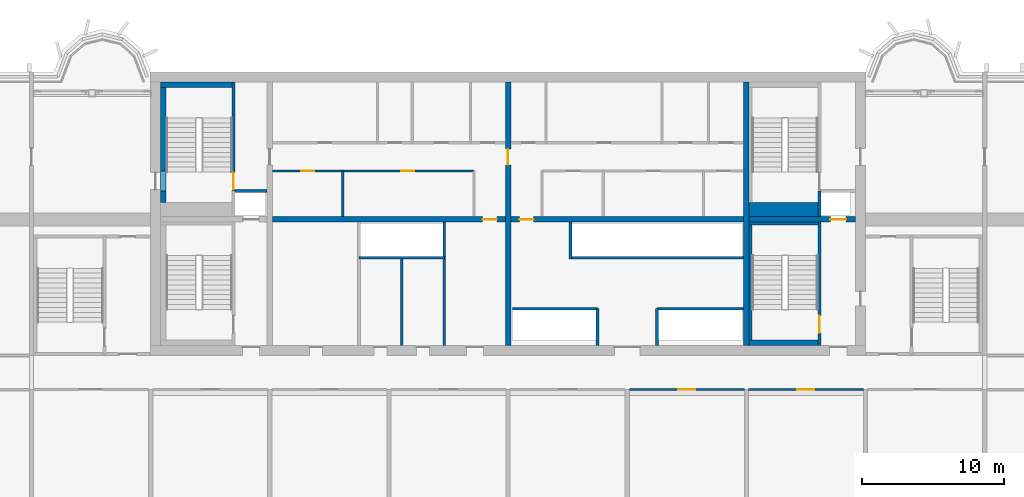
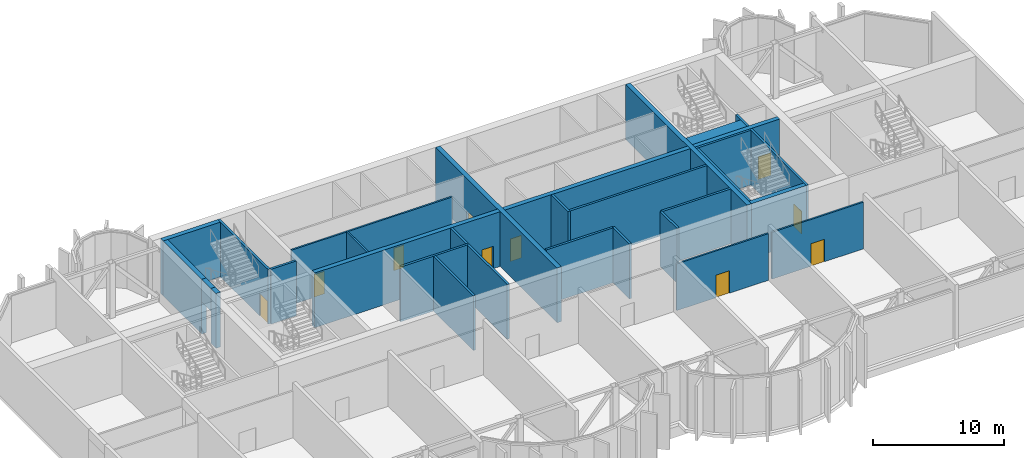
# One storey, part 5 of 15: 30 walls, 10 doors, 10 openings.
"""IFC4 building model written with IfcOpenShell, lengths in metres."""

from ifc_helpers import new_model, si_unit, direction, frame, frame_2d, origin, place, context, subcontext, project, spatial, rectangle, extrude, source, transform, mapped, material, layer, layer_set, type_object, element, fill, save


model = new_model("IFC4")

# Units and contexts
model_context = context("Model", 3, precision=1e-05, world=origin(), true_north=direction((0.0, 1.0)))
body_context = subcontext(model_context, "Body", "Model", "MODEL_VIEW")
ifc_project = project(units=[si_unit("LENGTHUNIT", "METRE"), si_unit("AREAUNIT", "SQUARE_METRE"), si_unit("VOLUMEUNIT", "CUBIC_METRE"), si_unit("PLANEANGLEUNIT", "RADIAN"), si_unit("MASSUNIT", "GRAM", prefix="KILO")], contexts=[model_context])

# Site, building, storey
site_placement = place(None, origin())
site = spatial("IfcSite", under=ifc_project, at=site_placement, CompositionType="ELEMENT")
building_placement = place(site_placement, origin())
building = spatial("IfcBuilding", under=site, at=building_placement, Name="Vanashikhar Sky Hotel", CompositionType="ELEMENT")
storey_placement = place(building_placement, frame((0.0, 0.0, 201.0)))
storey = spatial("IfcBuildingStorey", under=building, at=storey_placement, Name="L49", CompositionType="ELEMENT", Elevation=201.0)

# Wall, opening, door
ifc_material_1 = material(Name="Concrete M60", Category="concrete")
ifc_layer_1 = layer(ifc_material_1, 0.39990234375)
ifc_layer_set_1 = layer_set([ifc_layer_1], Name="RC core inner wall 400 Concrete M60")
wall_type_1 = type_object("IfcWallType", Name="RC core inner wall 400 Concrete M60", PredefinedType="SHEAR", material=ifc_layer_set_1)
shared_shape_1 = source(origin(), body_context, "Body", "SweptSolid", [
    extrude(rectangle(XDim=18.60009765625, YDim=0.39990234375, at=frame_2d((9.300048828125, 0.0))), origin(), (0.0, 0.0, 1.0), 5.1201171875),
])
wall_1_placement = place(storey_placement, frame((50.39990234375, 22.699951171875, 0.0), z_axis=(0.0, 0.0, 1.0), x_axis=(0.0, 1.0, 0.0)))
wall_1 = element("IfcWall", 1, at=wall_1_placement, inside=storey, type_object=wall_type_1, Name="KW-L49-KX2", PredefinedType="SHEAR", context=body_context, shape_type="MappedRepresentation", body=[
    mapped(shared_shape_1, transform((0.0, 0.0, 0.0), scale=1.0)),
])
shared_shape_2 = source(origin(), body_context, "Body", "SweptSolid", [
    extrude(rectangle(XDim=1.10009765625, YDim=2.10009765625, at=frame_2d((0.550048828125, 1.050048828125))), frame((0.0, 0.2099609375, 0.0), z_axis=(0.0, -1.0, 0.0), x_axis=(1.0, 0.0, 0.0)), (0.0, 0.0, 1.0), 0.419921875),
])
opening_1_placement = place(wall_1_placement, frame((12.75, 0.0, 0.0)))
opening_1 = element("IfcOpeningElement", 2, at=opening_1_placement, cuts=wall_1, Name="Opening DC-4-C", PredefinedType="OPENING", context=body_context, shape_type="MappedRepresentation", body=[
    mapped(shared_shape_2, transform((0.0, 0.0, 0.0), scale=1.0)),
])
ifc_material_2 = material(Name="Steel", Category="steel")
door_type_1 = type_object("IfcDoorType", Name="Service door 1100 FD60", OperationType="NOTDEFINED", PredefinedType="DOOR", material=ifc_material_2)
shared_shape_3 = source(origin(), body_context, "Body", "SweptSolid", [
    extrude(rectangle(XDim=1.10009765625, YDim=2.10009765625, at=frame_2d((0.550048828125, 1.050048828125))), frame((0.0, 0.02490234375, 0.0), z_axis=(0.0, -1.0, 0.0), x_axis=(1.0, 0.0, 0.0)), (0.0, 0.0, 1.0), 0.050048828125),
])
door_1_placement = place(opening_1_placement, origin())
door_1 = element("IfcDoor", 3, at=door_1_placement, inside=storey, type_object=door_type_1, Name="Service door 1100 FD60", OperationType="SINGLE_SWING_LEFT", OverallHeight=2.10009765625, OverallWidth=1.10009765625, PredefinedType="DOOR", context=body_context, shape_type="MappedRepresentation", body=[
    mapped(shared_shape_3, transform((0.0, 0.0, 0.0), scale=1.0)),
])
fill(opening_1, door_1)

# Wall
wall_2_placement = place(storey_placement, frame((67.199951171875, 22.699951171875, 0.0), z_axis=(0.0, 0.0, 1.0), x_axis=(0.0, 1.0, 0.0)))
element("IfcWall", 4, at=wall_2_placement, inside=storey, type_object=wall_type_1, Name="KW-L49-KX3", PredefinedType="SHEAR", context=body_context, shape_type="MappedRepresentation", body=[
    mapped(shared_shape_1, transform((0.0, 0.0, 0.0), scale=1.0)),
])

# Wall, opening, door
shared_shape_4 = source(origin(), body_context, "Body", "SweptSolid", [
    extrude(rectangle(XDim=7.5, YDim=0.39990234375, at=frame_2d((3.75, 0.0))), origin(), (0.0, 0.0, 1.0), 5.1201171875),
])
wall_3_placement = place(storey_placement, frame((67.39990234375, 31.60009765625, 0.0), z_axis=(0.0, 0.0, 1.0), x_axis=(1.0, 0.0, 0.0)))
wall_3 = element("IfcWall", 5, at=wall_3_placement, inside=storey, type_object=wall_type_1, Name="KW-L49-KY4", PredefinedType="SHEAR", context=body_context, shape_type="MappedRepresentation", body=[
    mapped(shared_shape_4, transform((0.0, 0.0, 0.0), scale=1.0)),
])
opening_2_placement = place(wall_3_placement, frame((5.72509765625, 0.0, 0.0)))
opening_2 = element("IfcOpeningElement", 6, at=opening_2_placement, cuts=wall_3, Name="Opening LD", PredefinedType="OPENING", context=body_context, shape_type="MappedRepresentation", body=[
    mapped(shared_shape_2, transform((0.0, 0.0, 0.0), scale=1.0)),
])
ifc_material_3 = material(Name="Stainless steel", Category="steel")
door_type_2 = type_object("IfcDoorType", Name="Lift landing door 1100", OperationType="NOTDEFINED", PredefinedType="DOOR", material=ifc_material_3)
door_2_placement = place(opening_2_placement, origin())
door_2 = element("IfcDoor", 7, at=door_2_placement, inside=storey, type_object=door_type_2, Name="Lift landing door 1100", OperationType="SLIDING_TO_LEFT", OverallHeight=2.10009765625, OverallWidth=1.10009765625, PredefinedType="DOOR", context=body_context, shape_type="MappedRepresentation", body=[
    mapped(shared_shape_3, transform((0.0, 0.0, 0.0), scale=1.0)),
])
fill(opening_2, door_2)

shared_shape_5 = source(origin(), body_context, "Body", "SweptSolid", [
    extrude(rectangle(XDim=16.39990234375, YDim=0.39990234375, at=frame_2d((8.199951171875, 0.0))), origin(), (0.0, 0.0, 1.0), 5.1201171875),
])
wall_4_placement = place(storey_placement, frame((33.800048828125, 31.60009765625, 0.0), z_axis=(0.0, 0.0, 1.0), x_axis=(1.0, 0.0, 0.0)))
wall_4 = element("IfcWall", 8, at=wall_4_placement, inside=storey, type_object=wall_type_1, Name="KW-L49-KY2", PredefinedType="SHEAR", context=body_context, shape_type="MappedRepresentation", body=[
    mapped(shared_shape_5, transform((0.0, 0.0, 0.0), scale=1.0)),
])
shared_shape_6 = source(origin(), body_context, "Body", "SweptSolid", [
    extrude(rectangle(XDim=1.0, YDim=2.10009765625, at=frame_2d((0.5, 1.050048828125))), frame((0.0, 0.2099609375, 0.0), z_axis=(0.0, -1.0, 0.0), x_axis=(1.0, 0.0, 0.0)), (0.0, 0.0, 1.0), 0.419921875),
])
opening_3_placement = place(wall_4_placement, frame((14.800048828125, 0.0, 0.0)))
opening_3 = element("IfcOpeningElement", 9, at=opening_3_placement, cuts=wall_4, Name="Opening DC-4", PredefinedType="OPENING", context=body_context, shape_type="MappedRepresentation", body=[
    mapped(shared_shape_6, transform((0.0, 0.0, 0.0), scale=1.0)),
])
door_type_3 = type_object("IfcDoorType", Name="Service door 1000 FD60", OperationType="NOTDEFINED", PredefinedType="DOOR", material=ifc_material_2)
shared_shape_7 = source(origin(), body_context, "Body", "SweptSolid", [
    extrude(rectangle(XDim=1.0, YDim=2.10009765625, at=frame_2d((0.5, 1.050048828125))), frame((0.0, 0.02490234375, 0.0), z_axis=(0.0, -1.0, 0.0), x_axis=(1.0, 0.0, 0.0)), (0.0, 0.0, 1.0), 0.050048828125),
])
door_3_placement = place(opening_3_placement, origin())
door_3 = element("IfcDoor", 10, at=door_3_placement, inside=storey, type_object=door_type_3, Name="Service door 1000 FD60", OperationType="SINGLE_SWING_LEFT", OverallHeight=2.10009765625, OverallWidth=1.0, PredefinedType="DOOR", context=body_context, shape_type="MappedRepresentation", body=[
    mapped(shared_shape_7, transform((0.0, 0.0, 0.0), scale=1.0)),
])
fill(opening_3, door_3)

wall_5_placement = place(storey_placement, frame((50.60009765625, 31.60009765625, 0.0), z_axis=(0.0, 0.0, 1.0), x_axis=(1.0, 0.0, 0.0)))
wall_5 = element("IfcWall", 11, at=wall_5_placement, inside=storey, type_object=wall_type_1, Name="KW-L49-KY3", PredefinedType="SHEAR", context=body_context, shape_type="MappedRepresentation", body=[
    mapped(shared_shape_5, transform((0.0, 0.0, 0.0), scale=1.0)),
])
opening_4_placement = place(wall_5_placement, frame((0.60009765625, 0.0, 0.0)))
opening_4 = element("IfcOpeningElement", 12, at=opening_4_placement, cuts=wall_5, Name="Opening DC-4", PredefinedType="OPENING", context=body_context, shape_type="MappedRepresentation", body=[
    mapped(shared_shape_6, transform((0.0, 0.0, 0.0), scale=1.0)),
])
door_4_placement = place(opening_4_placement, origin())
door_4 = element("IfcDoor", 13, at=door_4_placement, inside=storey, type_object=door_type_3, Name="Service door 1000 FD60", OperationType="SINGLE_SWING_RIGHT", OverallHeight=2.10009765625, OverallWidth=1.0, PredefinedType="DOOR", context=body_context, shape_type="MappedRepresentation", body=[
    mapped(shared_shape_7, transform((0.0, 0.0, 0.0), scale=1.0)),
])
fill(opening_4, door_4)

# Walls
ifc_material_4 = material(Name="Concrete M40", Category="concrete")
ifc_layer_2 = layer(ifc_material_4, 0.199951171875)
ifc_layer_set_2 = layer_set([ifc_layer_2], Name="Shaft wall 200")
wall_type_2 = type_object("IfcWallType", Name="Shaft wall 200", PredefinedType="SOLIDWALL", material=ifc_layer_set_2)
shared_shape_8 = source(origin(), body_context, "Body", "SweptSolid", [
    extrude(rectangle(XDim=6.0, YDim=0.199951171875, at=frame_2d((3.0, 0.0))), origin(), (0.0, 0.0, 1.0), 5.1201171875),
])
for number, where, z_axis, x_axis, name in (
    (14, (39.89990234375, 28.89990234375, 0.0), (0.0, 0.0, 1.0), (1.0, 0.0, 0.0), "Shaft wall 200"),
    (15, (56.699951171875, 25.300048828125, 0.0), (0.0, 0.0, 1.0), (-1.0, 0.0, 0.0), "Shaft wall 200"),
):
    element("IfcWall", number, at=place(storey_placement, frame(where, z_axis=z_axis, x_axis=x_axis)), inside=storey, type_object=wall_type_2, Name=name, PredefinedType="SOLIDWALL", context=body_context, shape_type="MappedRepresentation", body=[
        mapped(shared_shape_8, transform((0.0, 0.0, 0.0), scale=1.0)),
    ])
shared_shape_9 = source(origin(), body_context, "Body", "SweptSolid", [
    extrude(rectangle(XDim=2.60009765625, YDim=0.199951171875, at=frame_2d((1.300048828125, 0.0))), origin(), (0.0, 0.0, 1.0), 5.1201171875),
])
for number, where, z_axis, x_axis, name in (
    (16, (60.89990234375, 22.699951171875, 0.0), (0.0, 0.0, 1.0), (0.0, 1.0, 0.0), "Shaft wall 200"),
    (17, (56.699951171875, 22.699951171875, 0.0), (0.0, 0.0, 1.0), (0.0, 1.0, 0.0), "Shaft wall 200"),
):
    element("IfcWall", number, at=place(storey_placement, frame(where, z_axis=z_axis, x_axis=x_axis)), inside=storey, type_object=wall_type_2, Name=name, PredefinedType="SOLIDWALL", context=body_context, shape_type="MappedRepresentation", body=[
        mapped(shared_shape_9, transform((0.0, 0.0, 0.0), scale=1.0)),
    ])
shared_shape_10 = source(origin(), body_context, "Body", "SweptSolid", [
    extrude(rectangle(XDim=2.599853515625, YDim=0.199951171875, at=frame_2d((1.2998046875, 0.0))), origin(), (0.0, 0.0, 1.0), 5.1201171875),
])
wall_6_placement = place(storey_placement, frame((54.800048828125, 28.800048828125, 0.0), z_axis=(0.0, 0.0, 1.0), x_axis=(0.0, 1.0, 0.0)))
element("IfcWall", 18, at=wall_6_placement, inside=storey, type_object=wall_type_2, Name="Shaft wall 200", PredefinedType="SOLIDWALL", context=body_context, shape_type="MappedRepresentation", body=[
    mapped(shared_shape_10, transform((0.0, 0.0, 0.0), scale=1.0)),
])
ifc_material_5 = material(Name="Gypsum board partition")
ifc_layer_3 = layer(ifc_material_5, 0.14990234375)
ifc_layer_set_3 = layer_set([ifc_layer_3], Name="Service partition 150")
wall_type_3 = type_object("IfcWallType", Name="Service partition 150", PredefinedType="PARTITIONING", material=ifc_layer_set_3)
shared_shape_11 = source(origin(), body_context, "Body", "SweptSolid", [
    extrude(rectangle(XDim=3.199951171875, YDim=0.14990234375, at=frame_2d((1.60009765625, 0.0))), origin(), (0.0, 0.0, 1.0), 5.1201171875),
])
wall_7_placement = place(storey_placement, frame((38.743896484375, 31.800048828125, 0.0), z_axis=(0.0, 0.0, 1.0), x_axis=(0.0, 1.0, 0.0)))
element("IfcWall", 19, at=wall_7_placement, inside=storey, type_object=wall_type_3, Name="Service partition 150", PredefinedType="PARTITIONING", context=body_context, shape_type="MappedRepresentation", body=[
    mapped(shared_shape_11, transform((0.0, 0.0, 0.0), scale=1.0)),
])

# Wall, openings, doors
shared_shape_12 = source(origin(), body_context, "Body", "SweptSolid", [
    extrude(rectangle(XDim=14.199951171875, YDim=0.14990234375, at=frame_2d((7.10009765625, 0.0))), origin(), (0.0, 0.0, 1.0), 5.1201171875),
])
wall_8_placement = place(storey_placement, frame((33.800048828125, 35.0, 0.0), z_axis=(0.0, 0.0, 1.0), x_axis=(1.0, 0.0, 0.0)))
wall_8 = element("IfcWall", 20, at=wall_8_placement, inside=storey, type_object=wall_type_3, Name="Service partition 150", PredefinedType="PARTITIONING", context=body_context, shape_type="MappedRepresentation", body=[
    mapped(shared_shape_12, transform((0.0, 0.0, 0.0), scale=1.0)),
])
shared_shape_13 = source(origin(), body_context, "Body", "SweptSolid", [
    extrude(rectangle(XDim=0.89990234375, YDim=2.10009765625, at=frame_2d((0.449951171875, 1.050048828125))), frame((0.0, 0.0849609375, 0.0), z_axis=(0.0, -1.0, 0.0), x_axis=(1.0, 0.0, 0.0)), (0.0, 0.0, 1.0), 0.169921875),
])
opening_5_placement = place(wall_8_placement, frame((2.02197265625, 0.0, 0.0)))
opening_5 = element("IfcOpeningElement", 21, at=opening_5_placement, cuts=wall_8, Name="Opening DC-4-A", PredefinedType="OPENING", context=body_context, shape_type="MappedRepresentation", body=[
    mapped(shared_shape_13, transform((0.0, 0.0, 0.0), scale=1.0)),
])
opening_6_placement = place(wall_8_placement, frame((9.083984375, 0.0, 0.0)))
opening_6 = element("IfcOpeningElement", 22, at=opening_6_placement, cuts=wall_8, Name="Opening DC-4-A", PredefinedType="OPENING", context=body_context, shape_type="MappedRepresentation", body=[
    mapped(shared_shape_13, transform((0.0, 0.0, 0.0), scale=1.0)),
])
door_type_4 = type_object("IfcDoorType", Name="Service door 900 FD60", OperationType="NOTDEFINED", PredefinedType="DOOR", material=ifc_material_2)
shared_shape_14 = source(origin(), body_context, "Body", "SweptSolid", [
    extrude(rectangle(XDim=0.89990234375, YDim=2.10009765625, at=frame_2d((0.449951171875, 1.050048828125))), frame((0.0, 0.02490234375, 0.0), z_axis=(0.0, -1.0, 0.0), x_axis=(1.0, 0.0, 0.0)), (0.0, 0.0, 1.0), 0.050048828125),
])
door_5_placement = place(opening_5_placement, origin())
door_5 = element("IfcDoor", 23, at=door_5_placement, inside=storey, type_object=door_type_4, Name="Service door 900 FD60", OperationType="SINGLE_SWING_LEFT", OverallHeight=2.10009765625, OverallWidth=0.89990234375, PredefinedType="DOOR", context=body_context, shape_type="MappedRepresentation", body=[
    mapped(shared_shape_14, transform((0.0, 0.0, 0.0), scale=1.0)),
])
fill(opening_5, door_5)
door_6_placement = place(opening_6_placement, origin())
door_6 = element("IfcDoor", 24, at=door_6_placement, inside=storey, type_object=door_type_4, Name="Service door 900 FD60", OperationType="SINGLE_SWING_RIGHT", OverallHeight=2.10009765625, OverallWidth=0.89990234375, PredefinedType="DOOR", context=body_context, shape_type="MappedRepresentation", body=[
    mapped(shared_shape_14, transform((0.0, 0.0, 0.0), scale=1.0)),
])
fill(opening_6, door_6)

# Walls
shared_shape_15 = source(origin(), body_context, "Body", "SweptSolid", [
    extrude(rectangle(XDim=6.10009765625, YDim=0.199951171875, at=frame_2d((3.050048828125, 0.0))), origin(), (0.0, 0.0, 1.0), 5.1201171875),
])
wall_9_placement = place(storey_placement, frame((67.0, 25.300048828125, 0.0), z_axis=(0.0, 0.0, 1.0), x_axis=(-1.0, 0.0, 0.0)))
element("IfcWall", 25, at=wall_9_placement, inside=storey, type_object=wall_type_2, Name="Shaft wall 200", PredefinedType="SOLIDWALL", context=body_context, shape_type="MappedRepresentation", body=[
    mapped(shared_shape_15, transform((0.0, 0.0, 0.0), scale=1.0)),
])
shared_shape_16 = source(origin(), body_context, "Body", "SweptSolid", [
    extrude(rectangle(XDim=12.10009765625, YDim=0.199951171875, at=frame_2d((6.050048828125, 0.0))), origin(), (0.0, 0.0, 1.0), 5.1201171875),
])
wall_10_placement = place(storey_placement, frame((67.0, 28.89990234375, 0.0), z_axis=(0.0, 0.0, 1.0), x_axis=(-1.0, 0.0, 0.0)))
element("IfcWall", 26, at=wall_10_placement, inside=storey, type_object=wall_type_2, Name="Shaft wall 200", PredefinedType="SOLIDWALL", context=body_context, shape_type="MappedRepresentation", body=[
    mapped(shared_shape_16, transform((0.0, 0.0, 0.0), scale=1.0)),
])

# Wall, opening, door
ifc_material_6 = material(Name="Concrete M50", Category="concrete")
ifc_layer_4 = layer(ifc_material_6, 0.199951171875)
ifc_layer_set_4 = layer_set([ifc_layer_4], Name="Stair wall 200")
wall_type_4 = type_object("IfcWallType", Name="Stair wall 200", PredefinedType="SOLIDWALL", material=ifc_layer_set_4)
shared_shape_17 = source(origin(), body_context, "Body", "SweptSolid", [
    extrude(rectangle(XDim=8.699951171875, YDim=0.199951171875, at=frame_2d((4.35009765625, 0.0))), origin(), (0.0, 0.0, 1.0), 5.1201171875),
])
wall_11_placement = place(storey_placement, frame((72.35009765625, 22.699951171875, 0.0), z_axis=(0.0, 0.0, 1.0), x_axis=(0.0, 1.0, 0.0)))
wall_11 = element("IfcWall", 27, at=wall_11_placement, inside=storey, type_object=wall_type_4, Name="Stair wall 200", PredefinedType="SOLIDWALL", context=body_context, shape_type="MappedRepresentation", body=[
    mapped(shared_shape_17, transform((0.0, 0.0, 0.0), scale=1.0)),
])
shared_shape_18 = source(origin(), body_context, "Body", "SweptSolid", [
    extrude(rectangle(XDim=1.199951171875, YDim=2.10009765625, at=frame_2d((0.60009765625, 1.050048828125))), frame((0.0, 0.10986328125, 0.0), z_axis=(0.0, -1.0, 0.0), x_axis=(1.0, 0.0, 0.0)), (0.0, 0.0, 1.0), 0.219970703125),
])
opening_7_placement = place(wall_11_placement, frame((0.89990234375, 0.0, 0.0)))
opening_7 = element("IfcOpeningElement", 28, at=opening_7_placement, cuts=wall_11, Name="Opening DC-1", PredefinedType="OPENING", context=body_context, shape_type="MappedRepresentation", body=[
    mapped(shared_shape_18, transform((0.0, 0.0, 0.0), scale=1.0)),
])
door_type_5 = type_object("IfcDoorType", Name="Stair door 1200 FD120", OperationType="NOTDEFINED", PredefinedType="DOOR", material=ifc_material_2)
shared_shape_19 = source(origin(), body_context, "Body", "SweptSolid", [
    extrude(rectangle(XDim=1.199951171875, YDim=2.10009765625, at=frame_2d((0.60009765625, 1.050048828125))), frame((0.0, 0.02490234375, 0.0), z_axis=(0.0, -1.0, 0.0), x_axis=(1.0, 0.0, 0.0)), (0.0, 0.0, 1.0), 0.050048828125),
])
door_7_placement = place(opening_7_placement, origin())
door_7 = element("IfcDoor", 29, at=door_7_placement, inside=storey, type_object=door_type_5, Name="Stair door 1200 FD120", OperationType="SINGLE_SWING_LEFT", OverallHeight=2.10009765625, OverallWidth=1.199951171875, PredefinedType="DOOR", context=body_context, shape_type="MappedRepresentation", body=[
    mapped(shared_shape_19, transform((0.0, 0.0, 0.0), scale=1.0)),
])
fill(opening_7, door_7)

# Walls
shared_shape_20 = source(origin(), body_context, "Body", "SweptSolid", [
    extrude(rectangle(XDim=1.800048828125, YDim=0.199951171875, at=frame_2d((0.89990234375, 0.0))), origin(), (0.0, 0.0, 1.0), 5.1201171875),
])
wall_12_placement = place(storey_placement, frame((72.35009765625, 31.800048828125, 0.0), z_axis=(0.0, 0.0, 1.0), x_axis=(0.0, 1.0, 0.0)))
element("IfcWall", 30, at=wall_12_placement, inside=storey, type_object=wall_type_2, Name="Shaft wall 200", PredefinedType="SOLIDWALL", context=body_context, shape_type="MappedRepresentation", body=[
    mapped(shared_shape_20, transform((0.0, 0.0, 0.0), scale=1.0)),
])
shared_shape_21 = source(origin(), body_context, "Body", "SweptSolid", [
    extrude(rectangle(XDim=2.25, YDim=0.199951171875, at=frame_2d((1.125, 0.0))), origin(), (0.0, 0.0, 1.0), 5.1201171875),
])
wall_13_placement = place(storey_placement, frame((31.14990234375, 33.60009765625, 0.0), z_axis=(0.0, 0.0, 1.0), x_axis=(1.0, 0.0, 0.0)))
element("IfcWall", 31, at=wall_13_placement, inside=storey, type_object=wall_type_2, Name="Shaft wall 200", PredefinedType="SOLIDWALL", context=body_context, shape_type="MappedRepresentation", body=[
    mapped(shared_shape_21, transform((0.0, 0.0, 0.0), scale=1.0)),
])

# Wall, opening, door
shared_shape_22 = source(origin(), body_context, "Body", "SweptSolid", [
    extrude(rectangle(XDim=7.699951171875, YDim=0.199951171875, at=frame_2d((3.85009765625, 0.0))), origin(), (0.0, 0.0, 1.0), 5.1201171875),
])
wall_14_placement = place(storey_placement, frame((31.050048828125, 33.60009765625, 0.0), z_axis=(0.0, 0.0, 1.0), x_axis=(0.0, 1.0, 0.0)))
wall_14 = element("IfcWall", 32, at=wall_14_placement, inside=storey, type_object=wall_type_4, Name="Stair wall 200", PredefinedType="SOLIDWALL", context=body_context, shape_type="MappedRepresentation", body=[
    mapped(shared_shape_22, transform((0.0, 0.0, 0.0), scale=1.0)),
])
opening_8_placement = place(wall_14_placement, frame((0.10009765625, 0.0, 0.0)))
opening_8 = element("IfcOpeningElement", 33, at=opening_8_placement, cuts=wall_14, Name="Opening DC-1", PredefinedType="OPENING", context=body_context, shape_type="MappedRepresentation", body=[
    mapped(shared_shape_18, transform((0.0, 0.0, 0.0), scale=1.0)),
])
door_8_placement = place(opening_8_placement, origin())
door_8 = element("IfcDoor", 34, at=door_8_placement, inside=storey, type_object=door_type_5, Name="Stair door 1200 FD120", OperationType="SINGLE_SWING_LEFT", OverallHeight=2.10009765625, OverallWidth=1.199951171875, PredefinedType="DOOR", context=body_context, shape_type="MappedRepresentation", body=[
    mapped(shared_shape_19, transform((0.0, 0.0, 0.0), scale=1.0)),
])
fill(opening_8, door_8)

# Walls
ifc_layer_5 = layer(ifc_material_6, 0.39990234375)
ifc_layer_set_5 = layer_set([ifc_layer_5], Name="Stair infill wall 400")
wall_type_5 = type_object("IfcWallType", Name="Stair infill wall 400", PredefinedType="SOLIDWALL", material=ifc_layer_set_5)
shared_shape_23 = source(origin(), body_context, "Body", "SweptSolid", [
    extrude(rectangle(XDim=5.050048828125, YDim=0.39990234375, at=frame_2d((2.52490234375, 0.0))), origin(), (0.0, 0.0, 1.0), 5.1201171875),
])
wall_15_placement = place(storey_placement, frame((25.89990234375, 41.10009765625, 0.0), z_axis=(0.0, 0.0, 1.0), x_axis=(1.0, 0.0, 0.0)))
element("IfcWall", 35, at=wall_15_placement, inside=storey, type_object=wall_type_5, Name="Stair infill wall 400", PredefinedType="SOLIDWALL", context=body_context, shape_type="MappedRepresentation", body=[
    mapped(shared_shape_23, transform((0.0, 0.0, 0.0), scale=1.0)),
])
shared_shape_24 = source(origin(), body_context, "Body", "SweptSolid", [
    extrude(rectangle(XDim=4.85009765625, YDim=0.39990234375, at=frame_2d((2.425048828125, 0.0))), origin(), (0.0, 0.0, 1.0), 5.1201171875),
])
wall_16_placement = place(storey_placement, frame((67.39990234375, 22.89990234375, 0.0), z_axis=(0.0, 0.0, 1.0), x_axis=(1.0, 0.0, 0.0)))
element("IfcWall", 36, at=wall_16_placement, inside=storey, type_object=wall_type_5, Name="Stair infill wall 400", PredefinedType="SOLIDWALL", context=body_context, shape_type="MappedRepresentation", body=[
    mapped(shared_shape_24, transform((0.0, 0.0, 0.0), scale=1.0)),
])
ifc_layer_6 = layer(ifc_material_6, 0.199951171875)
ifc_layer_set_6 = layer_set([ifc_layer_6], Name="Stair infill wall 200")
wall_type_6 = type_object("IfcWallType", Name="Stair infill wall 200", PredefinedType="SOLIDWALL", material=ifc_layer_set_6)
shared_shape_25 = source(origin(), body_context, "Body", "SweptSolid", [
    extrude(rectangle(XDim=4.85009765625, YDim=0.199951171875, at=frame_2d((2.425048828125, 0.0))), origin(), (0.0, 0.0, 1.0), 5.1201171875),
])
wall_17_placement = place(storey_placement, frame((67.39990234375, 31.300048828125, 0.0), z_axis=(0.0, 0.0, 1.0), x_axis=(1.0, 0.0, 0.0)))
element("IfcWall", 37, at=wall_17_placement, inside=storey, type_object=wall_type_6, Name="Stair infill wall 200", PredefinedType="SOLIDWALL", context=body_context, shape_type="MappedRepresentation", body=[
    mapped(shared_shape_25, transform((0.0, 0.0, 0.0), scale=1.0)),
])
shared_shape_26 = source(origin(), body_context, "Body", "SweptSolid", [
    extrude(rectangle(XDim=8.099853515625, YDim=0.199951171875, at=frame_2d((4.0498046875, 0.0))), origin(), (0.0, 0.0, 1.0), 5.1201171875),
])
wall_18_placement = place(storey_placement, frame((67.5, 23.10009765625, 0.0), z_axis=(0.0, 0.0, 1.0), x_axis=(0.0, 1.0, 0.0)))
element("IfcWall", 38, at=wall_18_placement, inside=storey, type_object=wall_type_6, Name="Stair infill wall 200", PredefinedType="SOLIDWALL", context=body_context, shape_type="MappedRepresentation", body=[
    mapped(shared_shape_26, transform((0.0, 0.0, 0.0), scale=1.0)),
])
ifc_layer_7 = layer(ifc_material_6, 1.0)
ifc_layer_set_7 = layer_set([ifc_layer_7], Name="Stair infill wall 1000")
wall_type_7 = type_object("IfcWallType", Name="Stair infill wall 1000", PredefinedType="SOLIDWALL", material=ifc_layer_set_7)
shared_shape_27 = source(origin(), body_context, "Body", "SweptSolid", [
    extrude(rectangle(XDim=4.85009765625, YDim=1.0, at=frame_2d((2.425048828125, 0.0))), origin(), (0.0, 0.0, 1.0), 5.1201171875),
])
wall_19_placement = place(storey_placement, frame((67.39990234375, 32.300048828125, 0.0), z_axis=(0.0, 0.0, 1.0), x_axis=(1.0, 0.0, 0.0)))
element("IfcWall", 39, at=wall_19_placement, inside=storey, type_object=wall_type_7, Name="Stair infill wall 1000", PredefinedType="SOLIDWALL", context=body_context, shape_type="MappedRepresentation", body=[
    mapped(shared_shape_27, transform((0.0, 0.0, 0.0), scale=1.0)),
])
shared_shape_28 = source(origin(), body_context, "Body", "SweptSolid", [
    extrude(rectangle(XDim=8.699951171875, YDim=0.199951171875, at=frame_2d((4.35009765625, 0.0))), origin(), (0.0, 0.0, 1.0), 5.1201171875),
])
wall_20_placement = place(storey_placement, frame((45.89990234375, 22.699951171875, 0.0), z_axis=(0.0, 0.0, 1.0), x_axis=(0.0, 1.0, 0.0)))
element("IfcWall", 40, at=wall_20_placement, inside=storey, type_object=wall_type_3, Name="Service partition 150", PredefinedType="PARTITIONING", context=body_context, shape_type="MappedRepresentation", body=[
    mapped(shared_shape_28, transform((0.0, 0.0, 0.0), scale=1.0)),
])
shared_shape_29 = source(origin(), body_context, "Body", "SweptSolid", [
    extrude(rectangle(XDim=6.199951171875, YDim=0.199951171875, at=frame_2d((3.10009765625, 0.0))), origin(), (0.0, 0.0, 1.0), 5.1201171875),
])
wall_21_placement = place(storey_placement, frame((42.89990234375, 22.699951171875, 0.0), z_axis=(0.0, 0.0, 1.0), x_axis=(0.0, 1.0, 0.0)))
element("IfcWall", 41, at=wall_21_placement, inside=storey, type_object=wall_type_3, Name="Service partition 150", PredefinedType="PARTITIONING", context=body_context, shape_type="MappedRepresentation", body=[
    mapped(shared_shape_29, transform((0.0, 0.0, 0.0), scale=1.0)),
])
shared_shape_30 = source(origin(), body_context, "Body", "SweptSolid", [
    extrude(rectangle(XDim=0.800048828125, YDim=0.39990234375, at=frame_2d((0.39990234375, 0.0))), origin(), (0.0, 0.0, 1.0), 5.1201171875),
])
wall_22_placement = place(storey_placement, frame((26.10009765625, 32.800048828125, 0.0), z_axis=(0.0, 0.0, 1.0), x_axis=(0.0, 1.0, 0.0)))
element("IfcWall", 42, at=wall_22_placement, inside=storey, type_object=wall_type_5, Name="Stair infill wall 400", PredefinedType="SOLIDWALL", context=body_context, shape_type="MappedRepresentation", body=[
    mapped(shared_shape_30, transform((0.0, 0.0, 0.0), scale=1.0)),
])
shared_shape_31 = source(origin(), body_context, "Body", "SweptSolid", [
    extrude(rectangle(XDim=5.89990234375, YDim=0.39990234375, at=frame_2d((2.949951171875, 0.0))), origin(), (0.0, 0.0, 1.0), 5.1201171875),
])
wall_23_placement = place(storey_placement, frame((26.10009765625, 35.0, 0.0), z_axis=(0.0, 0.0, 1.0), x_axis=(0.0, 1.0, 0.0)))
element("IfcWall", 43, at=wall_23_placement, inside=storey, type_object=wall_type_5, Name="Stair infill wall 400", PredefinedType="SOLIDWALL", context=body_context, shape_type="MappedRepresentation", body=[
    mapped(shared_shape_31, transform((0.0, 0.0, 0.0), scale=1.0)),
])
shared_shape_32 = source(origin(), body_context, "Body", "SweptSolid", [
    extrude(rectangle(XDim=1.39990234375, YDim=0.39990234375, at=frame_2d((0.699951171875, 0.0))), origin(), (0.0, 0.0, 1.0), 2.1201171875),
])
wall_24_placement = place(storey_placement, frame((26.10009765625, 33.60009765625, 3.0), z_axis=(0.0, 0.0, 1.0), x_axis=(0.0, 1.0, 0.0)))
element("IfcWall", 44, at=wall_24_placement, inside=storey, type_object=wall_type_5, Name="Stair infill wall 400", PredefinedType="SOLIDWALL", context=body_context, shape_type="MappedRepresentation", body=[
    mapped(shared_shape_32, transform((0.0, 0.0, 0.0), scale=1.0)),
])

# Wall, opening, door
shared_shape_33 = source(origin(), body_context, "Body", "SweptSolid", [
    extrude(rectangle(XDim=8.10009765625, YDim=0.14990234375, at=frame_2d((4.050048828125, 0.0))), origin(), (0.0, 0.0, 1.0), 4.3701171875),
])
wall_25_placement = place(storey_placement, frame((58.949951171875, 19.60009765625, 0.0), z_axis=(0.0, 0.0, 1.0), x_axis=(1.0, 0.0, 0.0)))
wall_25 = element("IfcWall", 45, at=wall_25_placement, inside=storey, type_object=wall_type_3, Name="Service partition 150", PredefinedType="PARTITIONING", context=body_context, shape_type="MappedRepresentation", body=[
    mapped(shared_shape_33, transform((0.0, 0.0, 0.0), scale=1.0)),
])
shared_shape_34 = source(origin(), body_context, "Body", "SweptSolid", [
    extrude(rectangle(XDim=1.199951171875, YDim=2.10009765625, at=frame_2d((0.60009765625, 1.050048828125))), frame((0.0, 0.0849609375, 0.0), z_axis=(0.0, -1.0, 0.0), x_axis=(1.0, 0.0, 0.0)), (0.0, 0.0, 1.0), 0.169921875),
])
opening_9_placement = place(wall_25_placement, frame((3.449951171875, 0.0, 0.0)))
opening_9 = element("IfcOpeningElement", 46, at=opening_9_placement, cuts=wall_25, Name="Opening DC-4-D", PredefinedType="OPENING", context=body_context, shape_type="MappedRepresentation", body=[
    mapped(shared_shape_34, transform((0.0, 0.0, 0.0), scale=1.0)),
])
door_type_6 = type_object("IfcDoorType", Name="Service door 1200 FD120", OperationType="NOTDEFINED", PredefinedType="DOOR", material=ifc_material_2)
door_9_placement = place(opening_9_placement, origin())
door_9 = element("IfcDoor", 47, at=door_9_placement, inside=storey, type_object=door_type_6, Name="Service door 1200 FD120", OperationType="SINGLE_SWING_LEFT", OverallHeight=2.10009765625, OverallWidth=1.199951171875, PredefinedType="DOOR", context=body_context, shape_type="MappedRepresentation", body=[
    mapped(shared_shape_19, transform((0.0, 0.0, 0.0), scale=1.0)),
])
fill(opening_9, door_9)

shared_shape_35 = source(origin(), body_context, "Body", "SweptSolid", [
    extrude(rectangle(XDim=8.099853515625, YDim=0.14990234375, at=frame_2d((4.0498046875, 0.0))), origin(), (0.0, 0.0, 1.0), 4.3701171875),
])
wall_26_placement = place(storey_placement, frame((67.35009765625, 19.60009765625, 0.0), z_axis=(0.0, 0.0, 1.0), x_axis=(1.0, 0.0, 0.0)))
wall_26 = element("IfcWall", 48, at=wall_26_placement, inside=storey, type_object=wall_type_3, Name="Service partition 150", PredefinedType="PARTITIONING", context=body_context, shape_type="MappedRepresentation", body=[
    mapped(shared_shape_35, transform((0.0, 0.0, 0.0), scale=1.0)),
])
opening_10_placement = place(wall_26_placement, frame((3.449951171875, 0.0, 0.0)))
opening_10 = element("IfcOpeningElement", 49, at=opening_10_placement, cuts=wall_26, Name="Opening DC-4-D", PredefinedType="OPENING", context=body_context, shape_type="MappedRepresentation", body=[
    mapped(shared_shape_34, transform((0.0, 0.0, 0.0), scale=1.0)),
])
door_10_placement = place(opening_10_placement, origin())
door_10 = element("IfcDoor", 50, at=door_10_placement, inside=storey, type_object=door_type_6, Name="Service door 1200 FD120", OperationType="SINGLE_SWING_RIGHT", OverallHeight=2.10009765625, OverallWidth=1.199951171875, PredefinedType="DOOR", context=body_context, shape_type="MappedRepresentation", body=[
    mapped(shared_shape_19, transform((0.0, 0.0, 0.0), scale=1.0)),
])
fill(opening_10, door_10)

save(model, "model.ifc")
